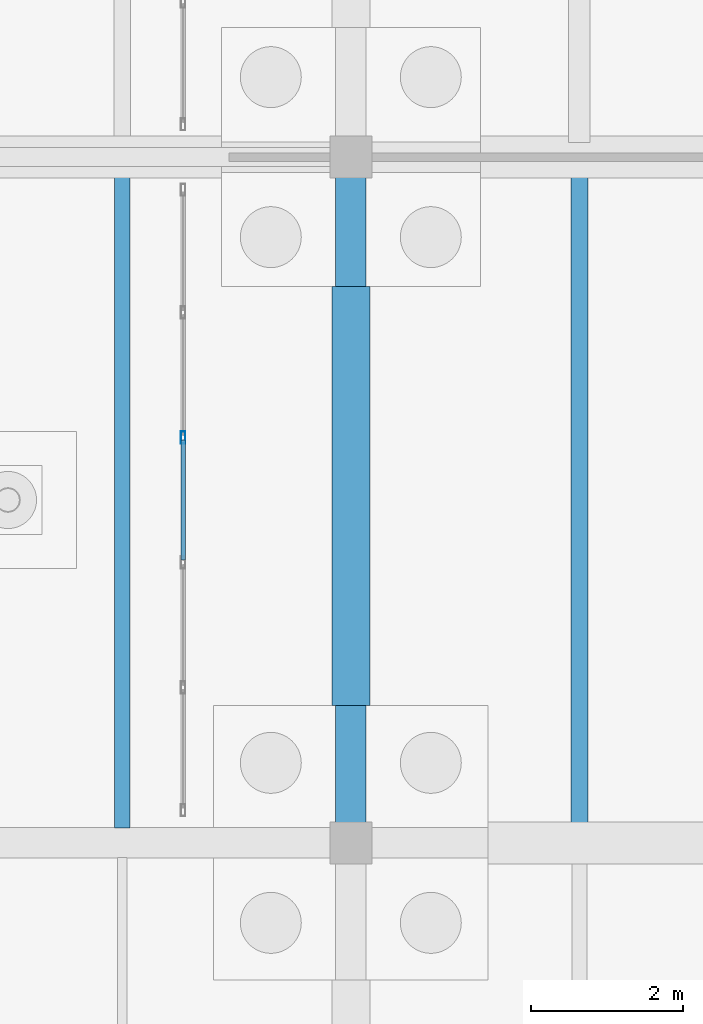
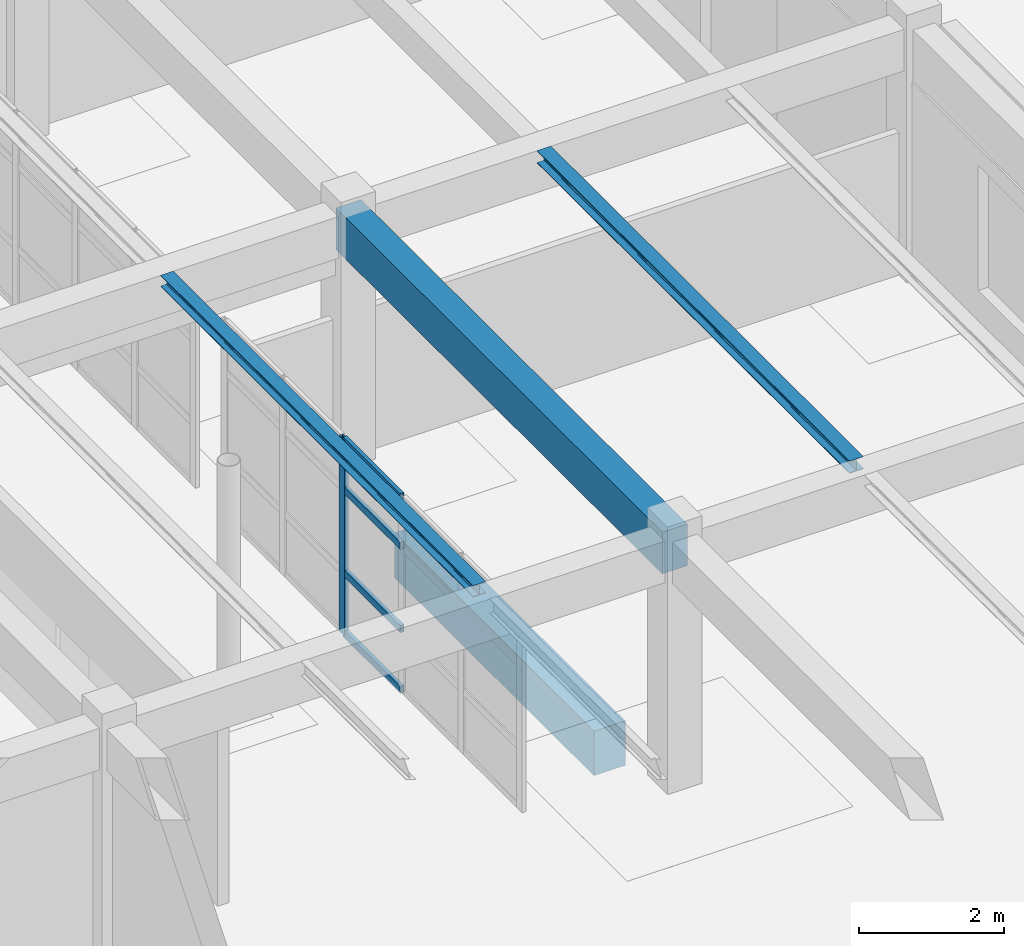
# One storey, part 26 of 186: 5 members, 4 beams, 1 element without a shape of its own.
"""IFC4 building model written with IfcOpenShell, lengths in metres."""

from ifc_helpers import new_model, si_unit, direction, frame, origin, origin_2d, place, context, subcontext, project, spatial, rectangle, hollow_rectangle, i_section, extrude, material, layer, layer_set, material_profile, profile_set, type_object, element, aggregate, save


model = new_model("IFC4")

# Units and contexts
model_context = context("Model", 3, precision=1e-05, world=origin(), true_north=direction((0.0, 1.0)))
body_context = subcontext(model_context, "Body", "Model", "MODEL_VIEW")
ifc_project = project(units=[si_unit("LENGTHUNIT", "METRE"), si_unit("AREAUNIT", "SQUARE_METRE"), si_unit("VOLUMEUNIT", "CUBIC_METRE"), si_unit("PLANEANGLEUNIT", "RADIAN"), si_unit("MASSUNIT", "GRAM", prefix="KILO")], contexts=[model_context])

# Site, building, storey
site_placement = place(None, origin())
site = spatial("IfcSite", under=ifc_project, at=site_placement, CompositionType="ELEMENT")
building_placement = place(site_placement, origin())
building = spatial("IfcBuilding", under=site, at=building_placement, Name="Ornek Quay Market", CompositionType="ELEMENT")
storey_placement = place(building_placement, origin())
storey = spatial("IfcBuildingStorey", under=building, at=storey_placement, Name="L00", CompositionType="ELEMENT", Elevation=0.0)

# Beams
ifc_material_1 = material(Name="Concrete C35/45", Category="concrete")
ifc_material_profile_1 = material_profile(ifc_material_1, rectangle(XDim=0.5, YDim=0.75, at=origin_2d()), Name="RC 500x750", Category="concrete")
ifc_profile_set_1 = profile_set([ifc_material_profile_1], Name="Concrete C35/45")
beam_type_1 = type_object("IfcBeamType", Name="BM-GB-500x750", PredefinedType="BEAM", material=ifc_profile_set_1)
beam_1_placement = place(storey_placement, frame((18.0, 30.800048828125, -0.574951171875), z_axis=(0.0, 1.0, 0.0), x_axis=(-1.0, 0.0, 0.0)))
element("IfcBeam", 1, at=beam_1_placement, inside=storey, type_object=beam_type_1, Name="Ground tie beam GB-067", PredefinedType="BEAM", context=body_context, shape_type="SweptSolid", body=[
    extrude(rectangle(XDim=0.5, YDim=0.75, at=origin_2d()), origin(), (0.0, 0.0, 1.0), 5.5),
])
ifc_material_2 = material(Name="Steel S355", Category="steel")
ifc_material_profile_2 = material_profile(ifc_material_2, i_section(OverallWidth=0.199951171875, OverallDepth=0.18994140625, WebThickness=0.006591796875, FlangeThickness=0.010009765625, FilletRadius=0.01806640625, at=origin_2d()), Name="HEA 200", Category="steel")
ifc_profile_set_2 = profile_set([ifc_material_profile_2], Name="Steel S355")
beam_type_2 = type_object("IfcBeamType", Name="BM-STL-HEA200", PredefinedType="BEAM", material=ifc_profile_set_2)
beam_2_placement = place(storey_placement, frame((15.0, 29.19189453125, 4.125), z_axis=(0.0, 1.0, 0.0), x_axis=(-1.0, 0.0, 0.0)))
element("IfcBeam", 2, at=beam_2_placement, inside=storey, type_object=beam_type_2, Name="Secondary joist SB-12-006", PredefinedType="BEAM", context=body_context, shape_type="SweptSolid", body=[
    extrude(i_section(OverallWidth=0.199951171875, OverallDepth=0.18994140625, WebThickness=0.006591796875, FlangeThickness=0.010009765625, FilletRadius=0.01806640625, at=origin_2d()), origin(), (0.0, 0.0, 1.0), 8.6162109375),
])
ifc_material_profile_3 = material_profile(ifc_material_2, i_section(OverallWidth=0.219970703125, OverallDepth=0.2099609375, WebThickness=0.007080078125, FlangeThickness=0.010986328125, FilletRadius=0.01806640625, at=origin_2d()), Name="HEA 220", Category="steel")
ifc_profile_set_3 = profile_set([ifc_material_profile_3], Name="Steel S355")
beam_type_3 = type_object("IfcBeamType", Name="BM-STL-HEA220", PredefinedType="BEAM", material=ifc_profile_set_3)
beam_3_placement = place(storey_placement, frame((21.0, 29.19189453125, 4.114990234375), z_axis=(0.0, 1.0, 0.0), x_axis=(-1.0, 0.0, 0.0)))
element("IfcBeam", 3, at=beam_3_placement, inside=storey, type_object=beam_type_3, Name="Secondary joist SB-13-009", PredefinedType="BEAM", context=body_context, shape_type="SweptSolid", body=[
    extrude(i_section(OverallWidth=0.219970703125, OverallDepth=0.2099609375, WebThickness=0.007080078125, FlangeThickness=0.010986328125, FilletRadius=0.01806640625, at=origin_2d()), origin(), (0.0, 0.0, 1.0), 8.6162109375),
])
ifc_material_profile_4 = material_profile(ifc_material_1, rectangle(XDim=0.39990234375, YDim=0.699951171875, at=origin_2d()), Name="RC 400x700", Category="concrete")
ifc_profile_set_4 = profile_set([ifc_material_profile_4], Name="Concrete C35/45")
beam_type_4 = type_object("IfcBeamType", Name="BM-WW-400x700", PredefinedType="BEAM", material=ifc_profile_set_4)
beam_4_placement = place(storey_placement, frame((18.0, 29.0, 3.8701171875), z_axis=(0.0, 1.0, 0.0), x_axis=(-1.0, 0.0, 0.0)))
element("IfcBeam", 4, at=beam_4_placement, inside=storey, type_object=beam_type_4, Name="Primary beam B-WW1-039", PredefinedType="BEAM", context=body_context, shape_type="SweptSolid", body=[
    extrude(rectangle(XDim=0.39990234375, YDim=0.699951171875, at=origin_2d()), origin(), (0.0, 0.0, 1.0), 9.0),
])

# Curtain wall, members
ifc_material_3 = material(Name="Anodised bronze aluminium and triple low-e glass", Category="aluminium")
ifc_layer = layer(ifc_material_3, 0.179931640625, Name="Anodised bronze aluminium and triple low-e glass", Category="aluminium")
ifc_layer_set = layer_set([ifc_layer], Name="Anodised bronze aluminium and triple low-e glass")
curtain_wall_type = type_object("IfcCurtainWallType", Name="CW-CONC-MOD1500", PredefinedType="USERDEFINED", material=ifc_layer_set)
curtain_wall_placement = place(storey_placement, origin())
curtain_wall = element("IfcCurtainWall", 5, at=curtain_wall_placement, inside=storey, type_object=curtain_wall_type, Name="Curtain wall CW-134", ObjectType="CURTAIN WALL", PredefinedType="USERDEFINED")
ifc_material_4 = material(Name="Anodised aluminium 6063-T6", Category="aluminium")
ifc_material_profile_5 = material_profile(ifc_material_4, hollow_rectangle(XDim=0.06005859375, YDim=0.159912109375, WallThickness=0.00390625, at=origin_2d()), Name="CW-MUL-60x160", Category="aluminium")
ifc_profile_set_5 = profile_set([ifc_material_profile_5], Name="Anodised aluminium 6063-T6")
member_type_1 = type_object("IfcMemberType", Name="CW-MUL-60x160", PredefinedType="MULLION", material=ifc_profile_set_5)
member_1_placement = place(storey_placement, frame((15.800048828125, 34.320068359375, 0.0), z_axis=(0.0, 0.0, 1.0), x_axis=(-1.0, 0.0, 0.0)))
member_1 = element("IfcMember", 6, at=member_1_placement, type_object=member_type_1, Name="CW-134 mullion 4", PredefinedType="MULLION", context=body_context, shape_type="SweptSolid", body=[
    extrude(hollow_rectangle(XDim=0.06005859375, YDim=0.159912109375, WallThickness=0.00390625, at=origin_2d()), origin(), (0.0, 0.0, 1.0), 3.300048828125),
])
ifc_material_profile_6 = material_profile(ifc_material_4, hollow_rectangle(XDim=0.06005859375, YDim=0.1201171875, WallThickness=0.00390625, at=origin_2d()), Name="CW-TRN-60x120", Category="aluminium")
ifc_profile_set_6 = profile_set([ifc_material_profile_6], Name="Anodised aluminium 6063-T6")
member_type_2 = type_object("IfcMemberType", Name="CW-TRN-60x120", PredefinedType="USERDEFINED", material=ifc_profile_set_6)
member_2_placement = place(storey_placement, frame((15.800048828125, 32.7099609375, 0.030029296875), z_axis=(0.0, 1.0, 0.0), x_axis=(-1.0, 0.0, 0.0)))
member_2 = element("IfcMember", 7, at=member_2_placement, type_object=member_type_2, Name="CW-134 transom 3.1", ObjectType="TRANSOM", PredefinedType="USERDEFINED", context=body_context, shape_type="SweptSolid", body=[
    extrude(hollow_rectangle(XDim=0.06005859375, YDim=0.1201171875, WallThickness=0.00390625, at=origin_2d()), origin(), (0.0, 0.0, 1.0), 1.580078125),
])
member_3_placement = place(storey_placement, frame((15.800048828125, 32.7099609375, 1.050048828125), z_axis=(0.0, 1.0, 0.0), x_axis=(-1.0, 0.0, 0.0)))
member_3 = element("IfcMember", 8, at=member_3_placement, type_object=member_type_2, Name="CW-134 transom 3.2", ObjectType="TRANSOM", PredefinedType="USERDEFINED", context=body_context, shape_type="SweptSolid", body=[
    extrude(hollow_rectangle(XDim=0.06005859375, YDim=0.1201171875, WallThickness=0.00390625, at=origin_2d()), origin(), (0.0, 0.0, 1.0), 1.580078125),
])
member_4_placement = place(storey_placement, frame((15.800048828125, 32.7099609375, 2.449951171875), z_axis=(0.0, 1.0, 0.0), x_axis=(-1.0, 0.0, 0.0)))
member_4 = element("IfcMember", 9, at=member_4_placement, type_object=member_type_2, Name="CW-134 transom 3.3", ObjectType="TRANSOM", PredefinedType="USERDEFINED", context=body_context, shape_type="SweptSolid", body=[
    extrude(hollow_rectangle(XDim=0.06005859375, YDim=0.1201171875, WallThickness=0.00390625, at=origin_2d()), origin(), (0.0, 0.0, 1.0), 1.580078125),
])
member_5_placement = place(storey_placement, frame((15.800048828125, 32.7099609375, 3.27001953125), z_axis=(0.0, 1.0, 0.0), x_axis=(-1.0, 0.0, 0.0)))
member_5 = element("IfcMember", 10, at=member_5_placement, type_object=member_type_2, Name="CW-134 transom 3.4", ObjectType="TRANSOM", PredefinedType="USERDEFINED", context=body_context, shape_type="SweptSolid", body=[
    extrude(hollow_rectangle(XDim=0.06005859375, YDim=0.1201171875, WallThickness=0.00390625, at=origin_2d()), origin(), (0.0, 0.0, 1.0), 1.580078125),
])
aggregate(curtain_wall, [member_1, member_2, member_3, member_4, member_5])

save(model, "model.ifc")
